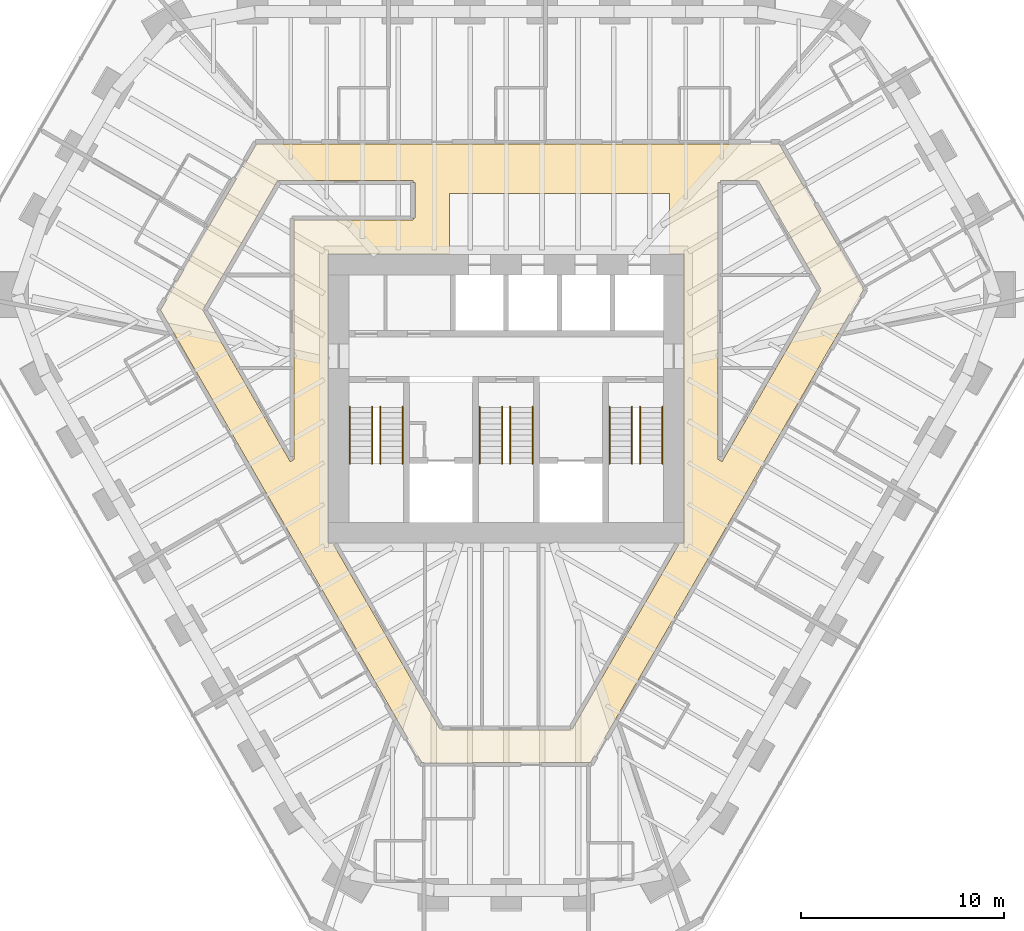
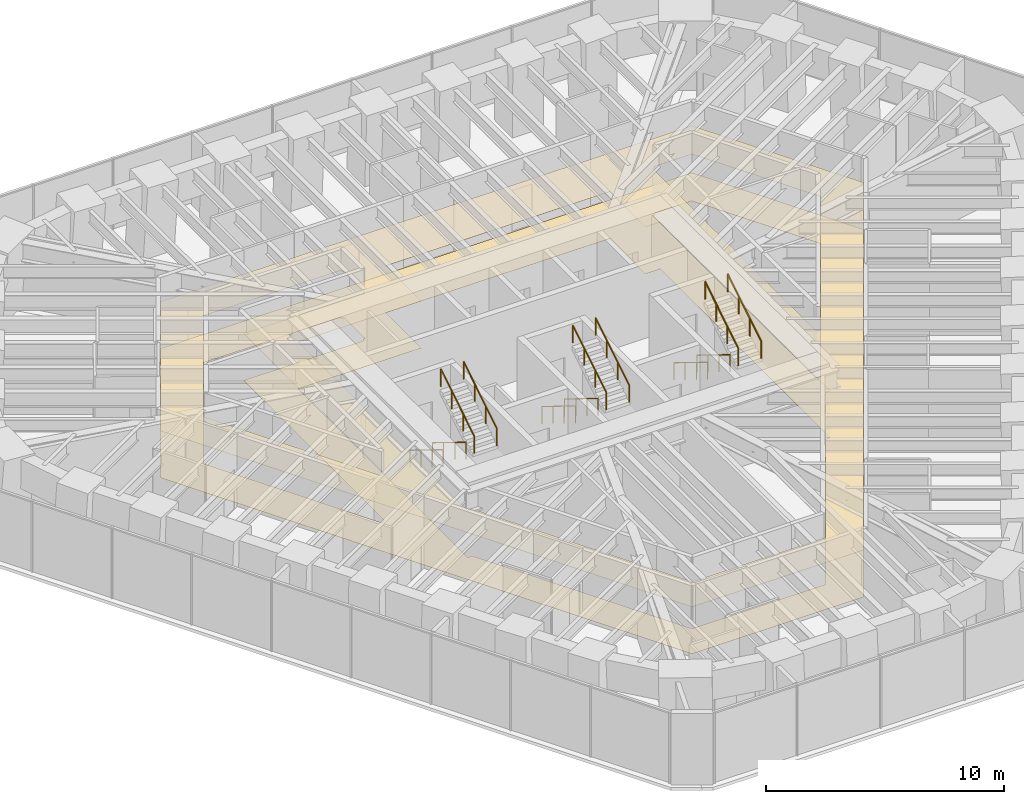
# One storey, part 16 of 16: 12 railings, 2 coverings.
"""IFC4 building model written with IfcOpenShell, lengths in metres."""

import ifcopenshell
import ifcopenshell.guid

model = None  # the IFC model being written
_history = None  # IfcOwnerHistory: only IFC2X3 demands one
_inside = {}  # id of a spatial element -> (the spatial element, [elements in it])
_under = {}  # id of a project, library or spatial element -> (it, [spatial elements below it])
_declared = {}  # id of a project -> (the project, [libraries it declares])
_typed = {}  # id of a type object -> (the type object, [elements of that type])
_made_of = {}  # id of a material, layer set ... -> (it, [elements and type objects made of it])


def new_model(schema):
    """Start an empty IFC model of exactly this schema.

    Asked for "IFC4X3", IfcOpenShell would pick the latest addendum, in which some entities
    have other attributes; the version numbers below select the first issue.
    IFC2X3 requires an IfcOwnerHistory on every rooted entity: one is made here for all.
    """
    global model, _history
    if schema == "IFC4X3":
        model = ifcopenshell.file(schema_version=(4, 3, 0, 0))
    else:
        model = ifcopenshell.file(schema=schema)
    _inside.clear()
    _under.clear()
    _declared.clear()
    _typed.clear()
    _made_of.clear()
    _history = None
    if model.schema == "IFC2X3":
        org = make("IfcOrganization", Name="unknown")
        user = make(
            "IfcPersonAndOrganization",
            ThePerson=make("IfcPerson", FamilyName="unknown"),
            TheOrganization=org,
        )
        app = make(
            "IfcApplication",
            ApplicationDeveloper=org,
            Version="unknown",
            ApplicationFullName="unknown",
            ApplicationIdentifier="unknown",
        )
        _history = make(
            "IfcOwnerHistory",
            OwningUser=user,
            OwningApplication=app,
            ChangeAction="ADDED",
            CreationDate=0,
        )
    return model


def make(cls, **values):
    """One entity of the class cls with the attributes given. An attribute that is None is left unset."""
    return model.create_entity(
        cls, **{name: value for name, value in values.items() if value is not None}
    )


def rooted(cls, **values):
    """An entity with a GlobalId (a new one), such as an element, a storey or a relation."""
    return make(cls, GlobalId=ifcopenshell.guid.new(), OwnerHistory=_history, **values)


def si_unit(unit_type, name, prefix=None):
    """IfcSIUnit, for example si_unit("LENGTHUNIT", "METRE", prefix="MILLI")."""
    return make("IfcSIUnit", UnitType=unit_type, Prefix=prefix, Name=name)


def assignment(units):
    """IfcUnitAssignment: the units of a project."""
    return None if units is None else make("IfcUnitAssignment", Units=units)


def point(xyz):
    """IfcCartesianPoint."""
    return None if xyz is None else make("IfcCartesianPoint", Coordinates=xyz)


def direction(xyz):
    """IfcDirection."""
    return None if xyz is None else make("IfcDirection", DirectionRatios=xyz)


def frame(location, z_axis=None, x_axis=None):
    """IfcAxis2Placement3D, a coordinate frame: its origin and axes. An axis left out is left unset."""
    return make(
        "IfcAxis2Placement3D",
        Location=point(location),
        Axis=direction(z_axis),
        RefDirection=direction(x_axis),
    )


def frame_2d(location, x_axis=None):
    """IfcAxis2Placement2D, a coordinate frame in the plane: its origin and x axis."""
    return make(
        "IfcAxis2Placement2D", Location=point(location), RefDirection=direction(x_axis)
    )


def origin():
    """The frame at (0, 0, 0) with its axes left unset."""
    return frame((0.0, 0.0, 0.0))


def origin_2d():
    """The frame at (0, 0) in the plane with its x axis left unset."""
    return frame_2d((0.0, 0.0))


def place(relative_to, where):
    """IfcLocalPlacement: puts the frame where relative to a parent placement (None: the world)."""
    return make(
        "IfcLocalPlacement", PlacementRelTo=relative_to, RelativePlacement=where
    )


def context(
    kind, dimensions, precision=None, world=None, true_north=None, identifier=None
):
    """IfcGeometricRepresentationContext, for example the 3D "Model" context."""
    return make(
        "IfcGeometricRepresentationContext",
        ContextIdentifier=identifier,
        ContextType=kind,
        CoordinateSpaceDimension=dimensions,
        Precision=precision,
        WorldCoordinateSystem=world,
        TrueNorth=true_north,
    )


def subcontext(parent, identifier, kind, view, scale=None):
    """IfcGeometricRepresentationSubContext, for example "Body" below "Model"."""
    return make(
        "IfcGeometricRepresentationSubContext",
        ContextIdentifier=identifier,
        ContextType=kind,
        ParentContext=parent,
        TargetScale=scale,
        TargetView=view,
    )


def project(units=None, contexts=None):
    """IfcProject with its units and contexts."""
    return rooted(
        "IfcProject",
        Name="project",
        RepresentationContexts=contexts,
        UnitsInContext=assignment(units),
    )


def spatial(cls, under=None, at=None, **own):
    """A site, building, storey or space (cls), placed at a placement, below another one or the project."""
    s = rooted(cls, ObjectPlacement=at, **own)
    if under is not None:
        _under.setdefault(under.id(), (under, []))[1].append(s)
    return s


def polyline(points):
    """IfcPolyline through the points."""
    return make("IfcPolyline", Points=[point(p) for p in points])


def profile(cls, at=None, kind="AREA", **sizes):
    """A parametric profile (cls). Its sizes go by their IFC names, for example OverallWidth=200.0."""
    return make(cls, ProfileType=kind, Position=at, **sizes)


def circle(**sizes):
    """IfcCircleProfileDef."""
    return profile("IfcCircleProfileDef", **sizes)


def outline(outer, holes=None, kind="AREA"):
    """IfcArbitraryClosedProfileDef: a profile drawn as a closed curve; with holes, ...WithVoids."""
    if holes is None:
        return make("IfcArbitraryClosedProfileDef", ProfileType=kind, OuterCurve=outer)
    return make(
        "IfcArbitraryProfileDefWithVoids",
        ProfileType=kind,
        OuterCurve=outer,
        InnerCurves=holes,
    )


def extrude(swept, where, along, depth):
    """IfcExtrudedAreaSolid: the profile swept, set in the frame where, extruded along a direction by depth."""
    return make(
        "IfcExtrudedAreaSolid",
        SweptArea=swept,
        Position=where,
        ExtrudedDirection=direction(along),
        Depth=depth,
    )


def shape(context_of_items, identifier, shape_type, items):
    """IfcShapeRepresentation: the items that make up one representation, for example the "Body"."""
    return make(
        "IfcShapeRepresentation",
        ContextOfItems=context_of_items,
        RepresentationIdentifier=identifier,
        RepresentationType=shape_type,
        Items=items,
    )


def material(Name=None, Category=None):
    """IfcMaterial."""
    return make("IfcMaterial", Name=Name, Category=Category)


def layer(
    of_material, thickness, ventilated=None, Name=None, Category=None, Priority=None
):
    """IfcMaterialLayer: one layer of a wall or slab, of a material (None: an air gap)."""
    return make(
        "IfcMaterialLayer",
        Material=of_material,
        LayerThickness=thickness,
        IsVentilated=ventilated,
        Name=Name,
        Category=Category,
        Priority=Priority,
    )


def layer_set(layers, Name=None):
    """IfcMaterialLayerSet."""
    return make("IfcMaterialLayerSet", MaterialLayers=layers, LayerSetName=Name)


def made_of(thing, what):
    """Note that an element or type object is made of a material, layer set ...; save() writes the relation."""
    if what is not None:
        _made_of.setdefault(what.id(), (what, []))[1].append(thing)
    return thing


def type_object(cls, material=None, **own):
    """A type object (cls), such as IfcWallType, which elements share."""
    return made_of(rooted(cls, **own), material)


def element(
    cls,
    number,
    at=None,
    inside=None,
    cuts=None,
    type_object=None,
    material=None,
    context=None,
    identifier="Body",
    shape_type=None,
    held_by="IfcProductDefinitionShape",
    body=None,
    shapes=None,
    **own,
):
    """One element of the class cls, such as IfcWall. Its Tag is "e" and its number.

    at: its placement. inside: the storey or other place that contains it. cuts: it is an
    opening in that element (IfcRelVoidsElement). A single representation is given by context,
    identifier, shape_type and body (its items); several are given by shapes. held_by: the class
    of the entity that holds the representations. save() writes the other relations.
    """
    e = rooted(cls, Tag="e%d" % number, ObjectPlacement=at, **own)
    if body is not None:
        shapes = [shape(context, identifier, shape_type, body)]
    if shapes is not None:
        e.Representation = make(held_by, Representations=shapes)
    if inside is not None:
        _inside.setdefault(inside.id(), (inside, []))[1].append(e)
    if cuts is not None:
        rooted(
            "IfcRelVoidsElement", RelatingBuildingElement=cuts, RelatedOpeningElement=e
        )
    if type_object is not None:
        _typed.setdefault(type_object.id(), (type_object, []))[1].append(e)
    return made_of(e, material)


def aggregate(whole, parts):
    """IfcRelAggregates: a whole, such as a stair, and the parts it consists of."""
    return rooted("IfcRelAggregates", RelatingObject=whole, RelatedObjects=parts)


def save(model, path):
    """Write the relations noted so far, then the file.

    IfcRelAggregates (storeys below a building ...), IfcRelContainedInSpatialStructure (elements
    in a storey), IfcRelDefinesByType, IfcRelAssociatesMaterial and IfcRelDeclares: one each for
    every whole, place, type object, material and project.
    """
    for whole, parts in _under.values():
        aggregate(whole, parts)
    for where, things in _inside.values():
        rooted(
            "IfcRelContainedInSpatialStructure",
            RelatedElements=things,
            RelatingStructure=where,
        )
    for kind, things in _typed.values():
        rooted("IfcRelDefinesByType", RelatedObjects=things, RelatingType=kind)
    for what, things in _made_of.values():
        rooted("IfcRelAssociatesMaterial", RelatedObjects=things, RelatingMaterial=what)
    for by, libraries in _declared.values():
        rooted("IfcRelDeclares", RelatingContext=by, RelatedDefinitions=libraries)
    model.write(path)


model = new_model("IFC4")

# Units and contexts
model_context = context("Model", 3, precision=1e-05, world=origin(), true_north=direction((0.0, 1.0)))
body_context = subcontext(model_context, "Body", "Model", "MODEL_VIEW")
ifc_project = project(units=[si_unit("LENGTHUNIT", "METRE"), si_unit("AREAUNIT", "SQUARE_METRE"), si_unit("VOLUMEUNIT", "CUBIC_METRE"), si_unit("PLANEANGLEUNIT", "RADIAN"), si_unit("MASSUNIT", "GRAM", prefix="KILO")], contexts=[model_context])

# Site, building, storey
site_placement = place(None, origin())
site = spatial("IfcSite", under=ifc_project, at=site_placement, CompositionType="ELEMENT")
building_placement = place(site_placement, origin())
building = spatial("IfcBuilding", under=site, at=building_placement, Name="Sandreach Pilgrim Tower", CompositionType="ELEMENT")
storey_placement = place(building_placement, frame((0.0, 0.0, 244.0)))
storey = spatial("IfcBuildingStorey", under=building, at=storey_placement, Name="L61", CompositionType="ELEMENT", Elevation=244.0)

# Coverings
ifc_material_1 = material(Name="Nylon carpet tile on the slab", Category="textile")
ifc_layer_1 = layer(ifc_material_1, 0.008056640625)
ifc_layer_set_1 = layer_set([ifc_layer_1], Name="Carpet tile")
covering_type_1 = type_object("IfcCoveringType", Name="Carpet tile", PredefinedType="FLOORING", material=ifc_layer_set_1)
covering_1_placement = place(storey_placement, origin())
element("IfcCovering", 1, at=covering_1_placement, inside=storey, type_object=covering_type_1, Name="Floor finish 61C Corridor 61", PredefinedType="FLOORING", context=body_context, shape_type="SweptSolid", body=[
    extrude(outline(polyline([(-4.15234375, -17.929931640625), (-17.024658203125, 4.369873046875), (-12.292236328125, 12.56005859375), (13.4423828125, 12.56005859375), (17.60302734375, 5.3671875), (4.15234375, -17.929931640625), (-4.15234375, -17.929931640625)]), holes=[polyline([(10.449951171875, -2.9921875), (10.63671875, -3.10009765625), (15.525634765625, 5.370361328125), (12.40771484375, 10.760009765625), (10.56005859375, 10.760009765625), (10.56005859375, 10.66015625), (10.449951171875, 10.659912109375), (10.449951171875, -2.9921875)]), polyline([(-3.227783203125, -16.330078125), (3.227783203125, -16.330078125), (8.542724609375, -7.1201171875), (8.77001953125, -7.1201171875), (8.77001953125, 7.1201171875), (8.050048828125, 7.1201171875), (8.050048828125, 10.10009765625), (-2.800048828125, 10.10009765625), (-2.800048828125, 7.1201171875), (-8.77001953125, 7.1201171875), (-8.77001953125, -7.1201171875), (-8.542724609375, -7.1201171875), (-3.227783203125, -16.330078125)]), polyline([(-14.945556640625, 4.370361328125), (-10.636474609375, -3.10009765625), (-10.449951171875, -2.9921875), (-10.449951171875, 8.800048828125), (-4.60009765625, 8.800048828125), (-4.60009765625, 8.909912109375), (-4.5, 8.909912109375), (-4.5, 10.64990234375), (-4.60009765625, 10.64990234375), (-4.60009765625, 10.760009765625), (-11.247802734375, 10.760009765625), (-14.945556640625, 4.370361328125)])]), origin(), (0.0, 0.0, 1.0), 0.008056640625),
])
ifc_material_2 = material(Name="Gypsum board suspended ceiling on a steel grid", Category="steel")
ifc_layer_2 = layer(ifc_material_2, 0.012939453125)
ifc_layer_set_2 = layer_set([ifc_layer_2], Name="Gypsum board suspended ceiling")
covering_type_2 = type_object("IfcCoveringType", Name="Gypsum board suspended ceiling", PredefinedType="CEILING", material=ifc_layer_set_2)
covering_2_placement = place(storey_placement, frame((0.0, 0.0, 2.39990234375)))
element("IfcCovering", 2, at=covering_2_placement, inside=storey, type_object=covering_type_2, Name="Ceiling 61C Corridor 61", PredefinedType="CEILING", context=body_context, shape_type="SweptSolid", body=[
    extrude(outline(polyline([(-4.15234375, -17.929931640625), (-17.024658203125, 4.369873046875), (-12.292236328125, 12.56005859375), (13.4423828125, 12.56005859375), (17.60302734375, 5.3671875), (4.15234375, -17.929931640625), (-4.15234375, -17.929931640625)]), holes=[polyline([(10.449951171875, -2.9921875), (10.63671875, -3.10009765625), (15.525634765625, 5.370361328125), (12.40771484375, 10.760009765625), (10.56005859375, 10.760009765625), (10.56005859375, 10.66015625), (10.449951171875, 10.659912109375), (10.449951171875, -2.9921875)]), polyline([(-3.227783203125, -16.330078125), (3.227783203125, -16.330078125), (8.542724609375, -7.1201171875), (8.77001953125, -7.1201171875), (8.77001953125, 7.1201171875), (8.050048828125, 7.1201171875), (8.050048828125, 10.10009765625), (-2.800048828125, 10.10009765625), (-2.800048828125, 7.1201171875), (-8.77001953125, 7.1201171875), (-8.77001953125, -7.1201171875), (-8.542724609375, -7.1201171875), (-3.227783203125, -16.330078125)]), polyline([(-14.945556640625, 4.370361328125), (-10.636474609375, -3.10009765625), (-10.449951171875, -2.9921875), (-10.449951171875, 8.800048828125), (-4.60009765625, 8.800048828125), (-4.60009765625, 8.909912109375), (-4.5, 8.909912109375), (-4.5, 10.64990234375), (-4.60009765625, 10.64990234375), (-4.60009765625, 10.760009765625), (-11.247802734375, 10.760009765625), (-14.945556640625, 4.370361328125)])]), origin(), (0.0, 0.0, 1.0), 0.01318359375),
])

# Railings
ifc_material_3 = material(Name="Stainless steel tube", Category="steel")
railing_type = type_object("IfcRailingType", Name="Stair handrail", PredefinedType="HANDRAIL", material=ifc_material_3)
for number, where, name in (
    (3, (-6.60009765625, -0.39990234375, 0.172607421875), "Handrail ST1 L61 flight 1"),
    (4, (-7.699951171875, -0.39990234375, 0.172607421875), "Handrail ST1 L61 flight 1"),
):
    element("IfcRailing", number, at=place(storey_placement, frame(where)), inside=storey, type_object=railing_type, Name=name, PredefinedType="HANDRAIL", context=body_context, shape_type="SweptSolid", body=[
        extrude(circle(Radius=0.02392578125, at=origin_2d()), frame((0.0, 0.0, 0.8759765625), z_axis=(0.0, -0.851089632645, 0.525020415988), x_axis=(1.0, 0.0, 0.0)), (0.0, 0.0, 1.0), 3.2900390625),
        extrude(circle(Radius=0.02099609375, at=origin_2d()), origin(), (0.0, 0.0, 1.0), 0.851806640625),
        extrude(circle(Radius=0.02099609375, at=origin_2d()), frame((0.0, -0.933349609375, 0.57568359375)), (0.0, 0.0, 1.0), 0.851806640625),
        extrude(circle(Radius=0.02099609375, at=origin_2d()), frame((0.0, -1.86669921875, 1.151611328125)), (0.0, 0.0, 1.0), 0.851806640625),
        extrude(circle(Radius=0.02099609375, at=origin_2d()), frame((0.0, -2.800048828125, 1.727294921875)), (0.0, 0.0, 1.0), 0.851806640625),
    ])
for number, where, name in (
    (5, (-6.199951171875, -3.199951171875, 2.07275390625), "Handrail ST1 L61 flight 2"),
    (6, (-5.10009765625, -3.199951171875, 2.07275390625), "Handrail ST1 L61 flight 2"),
):
    element("IfcRailing", number, at=place(storey_placement, frame(where)), inside=storey, type_object=railing_type, Name=name, PredefinedType="HANDRAIL", context=body_context, shape_type="SweptSolid", body=[
        extrude(circle(Radius=0.02392578125, at=origin_2d()), frame((0.0, 0.0, 0.8759765625), z_axis=(0.0, 0.851089632645, 0.525020415988), x_axis=(-1.0, 0.0, 0.0)), (0.0, 0.0, 1.0), 3.2900390625),
        extrude(circle(Radius=0.02099609375, at=origin_2d()), origin(), (0.0, 0.0, 1.0), 0.851806640625),
        extrude(circle(Radius=0.02099609375, at=origin_2d()), frame((0.0, 0.933349609375, 0.57568359375)), (0.0, 0.0, 1.0), 0.851806640625),
        extrude(circle(Radius=0.02099609375, at=origin_2d()), frame((0.0, 1.86669921875, 1.151611328125)), (0.0, 0.0, 1.0), 0.851806640625),
        extrude(circle(Radius=0.02099609375, at=origin_2d()), frame((0.0, 2.800048828125, 1.727294921875)), (0.0, 0.0, 1.0), 0.851806640625),
    ])
for number, where, name in (
    (7, (-0.199951171875, -0.39990234375, 0.172607421875), "Handrail ST3 L61 flight 1"),
    (8, (-1.300048828125, -0.39990234375, 0.172607421875), "Handrail ST3 L61 flight 1"),
):
    element("IfcRailing", number, at=place(storey_placement, frame(where)), inside=storey, type_object=railing_type, Name=name, PredefinedType="HANDRAIL", context=body_context, shape_type="SweptSolid", body=[
        extrude(circle(Radius=0.02392578125, at=origin_2d()), frame((0.0, 0.0, 0.8759765625), z_axis=(0.0, -0.851089632645, 0.525020415988), x_axis=(1.0, 0.0, 0.0)), (0.0, 0.0, 1.0), 3.2900390625),
        extrude(circle(Radius=0.02099609375, at=origin_2d()), origin(), (0.0, 0.0, 1.0), 0.851806640625),
        extrude(circle(Radius=0.02099609375, at=origin_2d()), frame((0.0, -0.933349609375, 0.57568359375)), (0.0, 0.0, 1.0), 0.851806640625),
        extrude(circle(Radius=0.02099609375, at=origin_2d()), frame((0.0, -1.86669921875, 1.151611328125)), (0.0, 0.0, 1.0), 0.851806640625),
        extrude(circle(Radius=0.02099609375, at=origin_2d()), frame((0.0, -2.800048828125, 1.727294921875)), (0.0, 0.0, 1.0), 0.851806640625),
    ])
for number, where, name in (
    (9, (0.199951171875, -3.199951171875, 2.07275390625), "Handrail ST3 L61 flight 2"),
    (10, (1.300048828125, -3.199951171875, 2.07275390625), "Handrail ST3 L61 flight 2"),
):
    element("IfcRailing", number, at=place(storey_placement, frame(where)), inside=storey, type_object=railing_type, Name=name, PredefinedType="HANDRAIL", context=body_context, shape_type="SweptSolid", body=[
        extrude(circle(Radius=0.02392578125, at=origin_2d()), frame((0.0, 0.0, 0.8759765625), z_axis=(0.0, 0.851089632645, 0.525020415988), x_axis=(-1.0, 0.0, 0.0)), (0.0, 0.0, 1.0), 3.2900390625),
        extrude(circle(Radius=0.02099609375, at=origin_2d()), origin(), (0.0, 0.0, 1.0), 0.851806640625),
        extrude(circle(Radius=0.02099609375, at=origin_2d()), frame((0.0, 0.933349609375, 0.57568359375)), (0.0, 0.0, 1.0), 0.851806640625),
        extrude(circle(Radius=0.02099609375, at=origin_2d()), frame((0.0, 1.86669921875, 1.151611328125)), (0.0, 0.0, 1.0), 0.851806640625),
        extrude(circle(Radius=0.02099609375, at=origin_2d()), frame((0.0, 2.800048828125, 1.727294921875)), (0.0, 0.0, 1.0), 0.851806640625),
    ])
for number, where, name in (
    (11, (6.199951171875, -0.39990234375, 0.172607421875), "Handrail ST2 L61 flight 1"),
    (12, (5.10009765625, -0.39990234375, 0.172607421875), "Handrail ST2 L61 flight 1"),
):
    element("IfcRailing", number, at=place(storey_placement, frame(where)), inside=storey, type_object=railing_type, Name=name, PredefinedType="HANDRAIL", context=body_context, shape_type="SweptSolid", body=[
        extrude(circle(Radius=0.02392578125, at=origin_2d()), frame((0.0, 0.0, 0.8759765625), z_axis=(0.0, -0.851089632645, 0.525020415988), x_axis=(1.0, 0.0, 0.0)), (0.0, 0.0, 1.0), 3.2900390625),
        extrude(circle(Radius=0.02099609375, at=origin_2d()), origin(), (0.0, 0.0, 1.0), 0.851806640625),
        extrude(circle(Radius=0.02099609375, at=origin_2d()), frame((0.0, -0.933349609375, 0.57568359375)), (0.0, 0.0, 1.0), 0.851806640625),
        extrude(circle(Radius=0.02099609375, at=origin_2d()), frame((0.0, -1.86669921875, 1.151611328125)), (0.0, 0.0, 1.0), 0.851806640625),
        extrude(circle(Radius=0.02099609375, at=origin_2d()), frame((0.0, -2.800048828125, 1.727294921875)), (0.0, 0.0, 1.0), 0.851806640625),
    ])
for number, where, name in (
    (13, (6.60009765625, -3.199951171875, 2.07275390625), "Handrail ST2 L61 flight 2"),
    (14, (7.699951171875, -3.199951171875, 2.07275390625), "Handrail ST2 L61 flight 2"),
):
    element("IfcRailing", number, at=place(storey_placement, frame(where)), inside=storey, type_object=railing_type, Name=name, PredefinedType="HANDRAIL", context=body_context, shape_type="SweptSolid", body=[
        extrude(circle(Radius=0.02392578125, at=origin_2d()), frame((0.0, 0.0, 0.8759765625), z_axis=(0.0, 0.851089632645, 0.525020415988), x_axis=(-1.0, 0.0, 0.0)), (0.0, 0.0, 1.0), 3.2900390625),
        extrude(circle(Radius=0.02099609375, at=origin_2d()), origin(), (0.0, 0.0, 1.0), 0.851806640625),
        extrude(circle(Radius=0.02099609375, at=origin_2d()), frame((0.0, 0.933349609375, 0.57568359375)), (0.0, 0.0, 1.0), 0.851806640625),
        extrude(circle(Radius=0.02099609375, at=origin_2d()), frame((0.0, 1.86669921875, 1.151611328125)), (0.0, 0.0, 1.0), 0.851806640625),
        extrude(circle(Radius=0.02099609375, at=origin_2d()), frame((0.0, 2.800048828125, 1.727294921875)), (0.0, 0.0, 1.0), 0.851806640625),
    ])

save(model, "model.ifc")
